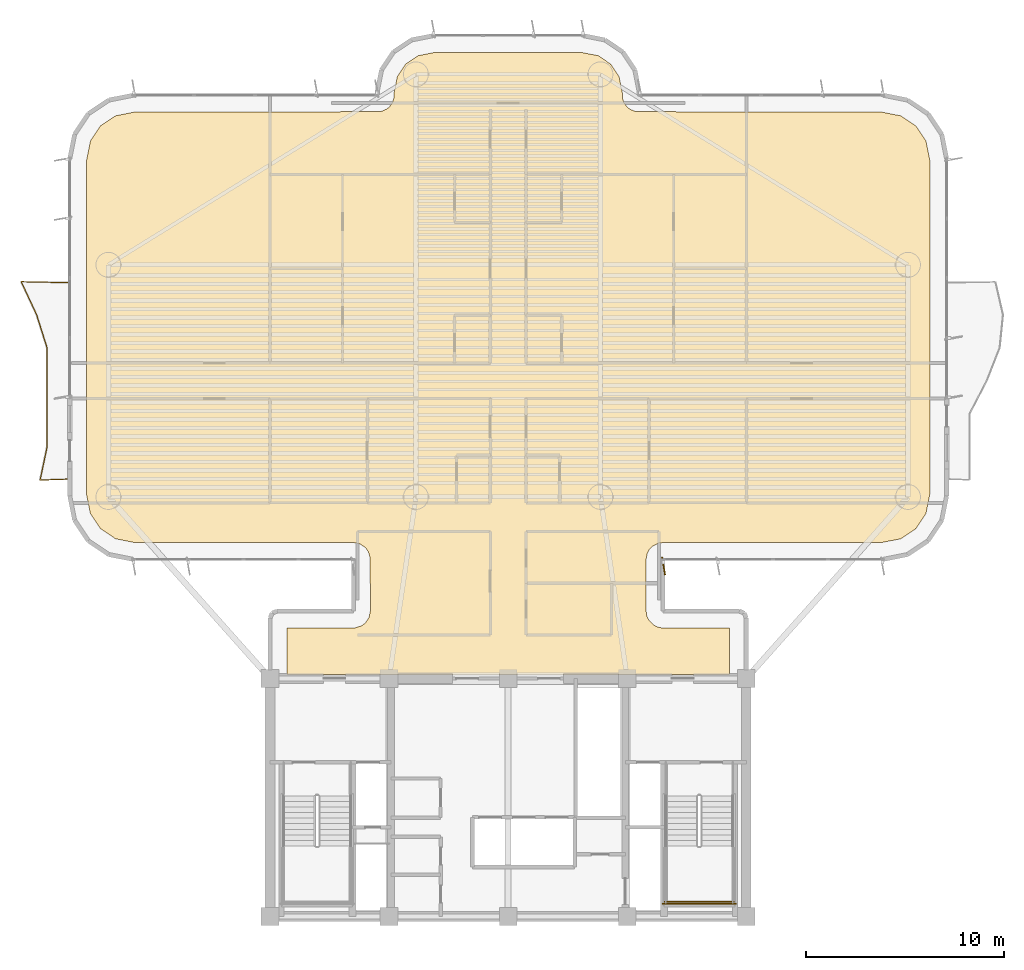
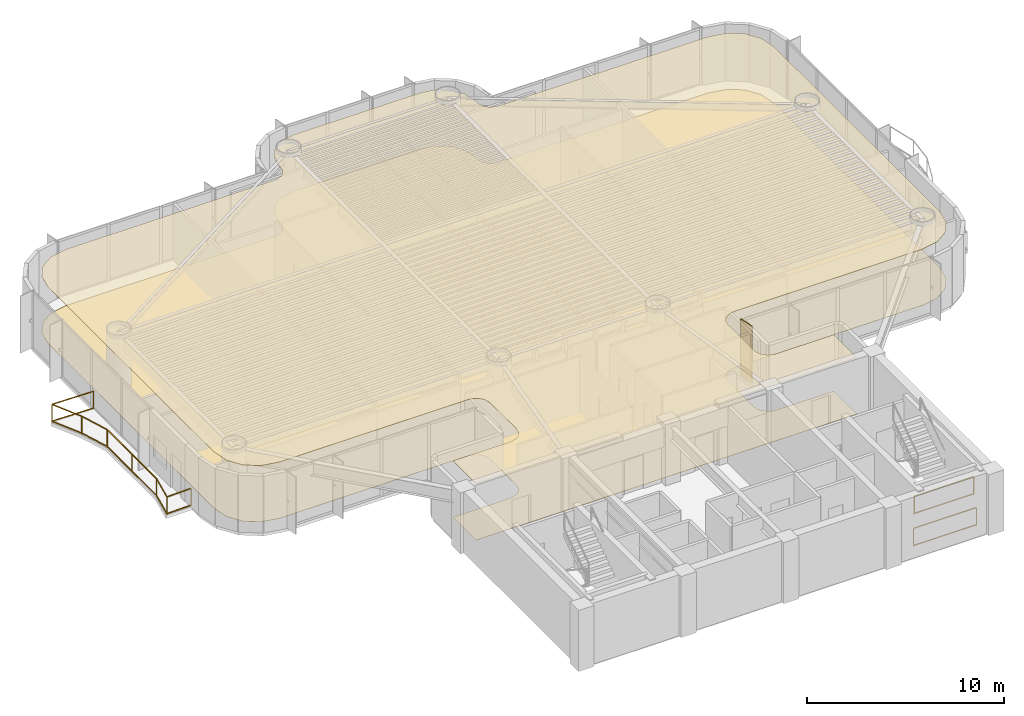
# One storey, part 15 of 17: 3 railings, 2 coverings, 1 shading device.
"""IFC4 building model written with IfcOpenShell, lengths in metres."""

from ifc_helpers import new_model, si_unit, direction, frame, origin, origin_2d, place, context, subcontext, project, spatial, polyline, rectangle, outline, extrude, source, transform, mapped, material, layer, layer_set, material_profile, profile_set, type_object, element, save


model = new_model("IFC4")

# Units and contexts
model_context = context("Model", 3, precision=1e-05, world=origin(), true_north=direction((0.0, 1.0)))
body_context = subcontext(model_context, "Body", "Model", "MODEL_VIEW")
ifc_project = project(units=[si_unit("LENGTHUNIT", "METRE"), si_unit("AREAUNIT", "SQUARE_METRE"), si_unit("VOLUMEUNIT", "CUBIC_METRE"), si_unit("PLANEANGLEUNIT", "RADIAN"), si_unit("MASSUNIT", "GRAM", prefix="KILO")], contexts=[model_context])

# Site, building, storey
site_placement = place(None, origin())
site = spatial("IfcSite", under=ifc_project, at=site_placement, CompositionType="ELEMENT")
building_placement = place(site_placement, origin())
building = spatial("IfcBuilding", under=site, at=building_placement, Name="Brelvock Crest Care Tower", CompositionType="ELEMENT")
storey_placement = place(building_placement, frame((0.0, 0.0, 93.60009765625)))
storey = spatial("IfcBuildingStorey", under=building, at=storey_placement, Name="L23", CompositionType="ELEMENT", Elevation=93.60009765625)

# Coverings
ifc_material_1 = material(Name="Mineral Fibre Acoustic Ceiling Tile", Category="gypsum")
ifc_layer_1 = layer(ifc_material_1, 0.02490234375, Name="COV-CLG1")
ifc_layer_set_1 = layer_set([ifc_layer_1], Name="Mineral Fibre Acoustic Ceiling Tile")
covering_type_1 = type_object("IfcCoveringType", Name="COV-CLG1", PredefinedType="CEILING", material=ifc_layer_set_1)
covering_1_placement = place(storey_placement, frame((0.0, 0.0, 3.474853515625)))
element("IfcCovering", 1, at=covering_1_placement, inside=storey, type_object=covering_type_1, Name="L23 Acoustic Suspended Ceiling 1", PredefinedType="CEILING", context=body_context, shape_type="SweptSolid", body=[
    extrude(outline(polyline([(24.85009765625, 18.199951171875), (47.14990234375, 18.199951171875), (47.14990234375, 20.550048828125), (43.716796875, 20.55419921875), (43.55322265625, 20.586669921875), (43.327880859375, 20.693359375), (43.09326171875, 20.927734375), (42.986572265625, 21.1533203125), (42.949951171875, 21.39990234375), (42.949951171875, 24.0), (43.0146484375, 24.3251953125), (43.09326171875, 24.47216796875), (43.2607421875, 24.656982421875), (43.55322265625, 24.8134765625), (43.800048828125, 24.85009765625), (54.81640625, 24.85009765625), (55.79296875, 25.044189453125), (56.5498046875, 25.550048828125), (57.0556640625, 26.30712890625), (57.25, 27.28369140625), (57.25, 44.1162109375), (57.0556640625, 45.093017578125), (56.5498046875, 45.849853515625), (55.79296875, 46.355712890625), (54.81640625, 46.550048828125), (42.43408203125, 46.56640625), (42.127685546875, 46.693359375), (41.9990234375, 46.799072265625), (41.850341796875, 46.999267578125), (41.766357421875, 47.234130859375), (41.75, 47.516357421875), (41.586181640625, 48.33984375), (41.1669921875, 48.967041015625), (40.539794921875, 49.38623046875), (39.71630859375, 49.550048828125), (32.28369140625, 49.550048828125), (31.460205078125, 49.38623046875), (30.8330078125, 48.967041015625), (30.413818359375, 48.33984375), (30.25, 47.516357421875), (30.233642578125, 47.234130859375), (30.149658203125, 46.999267578125), (30.0009765625, 46.799072265625), (29.872314453125, 46.693359375), (29.56591796875, 46.56640625), (17.18359375, 46.550048828125), (16.20703125, 46.355712890625), (15.4501953125, 45.849853515625), (14.9443359375, 45.093017578125), (14.75, 44.1162109375), (14.75, 27.28369140625), (14.9443359375, 26.30712890625), (15.4501953125, 25.550048828125), (16.20703125, 25.044189453125), (17.18359375, 24.85009765625), (28.199951171875, 24.85009765625), (28.525390625, 24.785400390625), (28.801025390625, 24.60107421875), (28.94970703125, 24.400634765625), (29.0458984375, 24.083251953125), (29.050048828125, 21.39990234375), (28.9853515625, 21.07470703125), (28.801025390625, 20.799072265625), (28.6005859375, 20.650390625), (28.283203125, 20.55419921875), (24.85009765625, 20.550048828125), (24.85009765625, 18.199951171875)])), origin(), (0.0, 0.0, 1.0), 0.025146484375),
])
ifc_material_2 = material(Name="Slip-Resistant Acoustic Vinyl Flooring", Category="finish")
ifc_layer_2 = layer(ifc_material_2, 0.014892578125, Name="COV-FLR1")
ifc_layer_set_2 = layer_set([ifc_layer_2], Name="Slip-Resistant Acoustic Vinyl Flooring")
covering_type_2 = type_object("IfcCoveringType", Name="COV-FLR1", PredefinedType="FLOORING", material=ifc_layer_set_2)
covering_2_placement = place(storey_placement, origin())
element("IfcCovering", 2, at=covering_2_placement, inside=storey, type_object=covering_type_2, Name="L23 Slip-Resistant Acoustic Flooring 1", PredefinedType="FLOORING", context=body_context, shape_type="SweptSolid", body=[
    extrude(outline(polyline([(24.85009765625, 18.199951171875), (47.14990234375, 18.199951171875), (47.14990234375, 20.550048828125), (43.716796875, 20.55419921875), (43.55322265625, 20.586669921875), (43.327880859375, 20.693359375), (43.09326171875, 20.927734375), (42.986572265625, 21.1533203125), (42.949951171875, 21.39990234375), (42.949951171875, 24.0), (43.0146484375, 24.3251953125), (43.09326171875, 24.47216796875), (43.2607421875, 24.656982421875), (43.55322265625, 24.8134765625), (43.800048828125, 24.85009765625), (54.81640625, 24.85009765625), (55.79296875, 25.044189453125), (56.5498046875, 25.550048828125), (57.0556640625, 26.30712890625), (57.25, 27.28369140625), (57.25, 44.1162109375), (57.0556640625, 45.093017578125), (56.5498046875, 45.849853515625), (55.79296875, 46.355712890625), (54.81640625, 46.550048828125), (42.43408203125, 46.56640625), (42.127685546875, 46.693359375), (41.9990234375, 46.799072265625), (41.850341796875, 46.999267578125), (41.766357421875, 47.234130859375), (41.75, 47.516357421875), (41.586181640625, 48.33984375), (41.1669921875, 48.967041015625), (40.539794921875, 49.38623046875), (39.71630859375, 49.550048828125), (32.28369140625, 49.550048828125), (31.460205078125, 49.38623046875), (30.8330078125, 48.967041015625), (30.413818359375, 48.33984375), (30.25, 47.516357421875), (30.233642578125, 47.234130859375), (30.149658203125, 46.999267578125), (30.0009765625, 46.799072265625), (29.872314453125, 46.693359375), (29.56591796875, 46.56640625), (17.18359375, 46.550048828125), (16.20703125, 46.355712890625), (15.4501953125, 45.849853515625), (14.9443359375, 45.093017578125), (14.75, 44.1162109375), (14.75, 27.28369140625), (14.9443359375, 26.30712890625), (15.4501953125, 25.550048828125), (16.20703125, 25.044189453125), (17.18359375, 24.85009765625), (28.199951171875, 24.85009765625), (28.525390625, 24.785400390625), (28.801025390625, 24.60107421875), (28.94970703125, 24.400634765625), (29.0458984375, 24.083251953125), (29.050048828125, 21.39990234375), (28.9853515625, 21.07470703125), (28.801025390625, 20.799072265625), (28.6005859375, 20.650390625), (28.283203125, 20.55419921875), (24.85009765625, 20.550048828125), (24.85009765625, 18.199951171875)])), origin(), (0.0, 0.0, 1.0), 0.014892578125),
])

# Railings
ifc_material_3 = material(Name="Dark Glass Double Glazed Low-E", Category="glass")
ifc_layer_3 = layer(ifc_material_3, 0.06005859375, Name="RL-BAL1")
ifc_layer_set_3 = layer_set([ifc_layer_3], Name="Dark Glass Double Glazed Low-E")
railing_type_1 = type_object("IfcRailingType", Name="RL-BAL1", PredefinedType="BALUSTRADE", material=ifc_layer_set_3)
railing_1_placement = place(storey_placement, frame((13.860107421875, 28.050048828125, 0.00390625)))
element("IfcRailing", 3, at=railing_1_placement, inside=storey, type_object=railing_type_1, Name="L23 Safety Balustrade WB-W", PredefinedType="BALUSTRADE", context=body_context, shape_type="SweptSolid", body=[
    extrude(rectangle(XDim=0.048095703125, YDim=0.048095703125, at=origin_2d()), frame((-0.001953125, 0.0, 1.09619140625), z_axis=(-0.999404999824, -0.034491249994, 0.0), x_axis=(0.034491249994, -0.999404999824, 0.0)), (0.0, 0.0, 1.0), 1.447021484375),
    extrude(rectangle(XDim=0.048095703125, YDim=0.048095703125, at=origin_2d()), frame((-0.001953125, 0.0, 0.054931640625), z_axis=(-0.999404999824, -0.034491249994, 0.0), x_axis=(0.034491249994, -0.999404999824, 0.0)), (0.0, 0.0, 1.0), 1.447021484375),
    extrude(rectangle(XDim=0.048095703125, YDim=0.048095703125, at=origin_2d()), frame((-1.44970703125, -0.048095703125, 1.09619140625), z_axis=(0.205562541209, 0.978643981053, 0.0), x_axis=(-0.978643981053, 0.205562541209, 0.0)), (0.0, 0.0, 1.0), 1.69921875),
    extrude(rectangle(XDim=0.048095703125, YDim=0.048095703125, at=origin_2d()), frame((-1.44970703125, -0.048095703125, 0.054931640625), z_axis=(0.205562541209, 0.978643981053, 0.0), x_axis=(-0.978643981053, 0.205562541209, 0.0)), (0.0, 0.0, 1.0), 1.69921875),
    extrude(rectangle(XDim=0.048095703125, YDim=0.048095703125, at=origin_2d()), frame((-1.10009765625, 1.61865234375, 1.09619140625), z_axis=(0.0, 1.0, 0.0), x_axis=(-1.0, 0.0, 0.0)), (0.0, 0.0, 1.0), 4.99609375),
    extrude(rectangle(XDim=0.048095703125, YDim=0.048095703125, at=origin_2d()), frame((-1.10009765625, 1.61865234375, 0.054931640625), z_axis=(0.0, 1.0, 0.0), x_axis=(-1.0, 0.0, 0.0)), (0.0, 0.0, 1.0), 4.99609375),
    extrude(rectangle(XDim=0.048095703125, YDim=0.048095703125, at=origin_2d()), frame((-1.1005859375, 6.61865234375, 1.09619140625), z_axis=(-0.30105782115, 0.953605887316, 0.0), x_axis=(-0.953605887316, -0.30105782115, 0.0)), (0.0, 0.0, 1.0), 1.74365234375),
    extrude(rectangle(XDim=0.048095703125, YDim=0.048095703125, at=origin_2d()), frame((-1.1005859375, 6.61865234375, 0.054931640625), z_axis=(-0.30105782115, 0.953605887316, 0.0), x_axis=(-0.953605887316, -0.30105782115, 0.0)), (0.0, 0.0, 1.0), 1.74365234375),
    extrude(rectangle(XDim=0.048095703125, YDim=0.048095703125, at=origin_2d()), frame((-1.626953125, 8.284912109375, 1.09619140625), z_axis=(-0.423219639169, 0.906027117156, 0.0), x_axis=(-0.906027117156, -0.423219639169, 0.0)), (0.0, 0.0, 1.0), 1.835693359375),
    extrude(rectangle(XDim=0.048095703125, YDim=0.048095703125, at=origin_2d()), frame((-1.626953125, 8.284912109375, 0.054931640625), z_axis=(-0.423219639169, 0.906027117156, 0.0), x_axis=(-0.906027117156, -0.423219639169, 0.0)), (0.0, 0.0, 1.0), 1.835693359375),
    extrude(rectangle(XDim=0.048095703125, YDim=0.048095703125, at=origin_2d()), frame((-2.40283203125, 9.949951171875, 1.09619140625), z_axis=(0.999783496855, -0.020807676838, 0.0), x_axis=(0.020807676838, 0.999783496855, 0.0)), (0.0, 0.0, 1.0), 2.4013671875),
    extrude(rectangle(XDim=0.048095703125, YDim=0.048095703125, at=origin_2d()), frame((-2.40283203125, 9.949951171875, 0.054931640625), z_axis=(0.999783496855, -0.020807676838, 0.0), x_axis=(0.020807676838, 0.999783496855, 0.0)), (0.0, 0.0, 1.0), 2.4013671875),
    extrude(rectangle(XDim=0.0419921875, YDim=0.0419921875, at=origin_2d()), origin(), (0.0, 0.0, 1.0), 1.070068359375),
    extrude(rectangle(XDim=0.0419921875, YDim=0.0419921875, at=origin_2d()), frame((-1.4501953125, -0.050048828125, 0.0)), (0.0, 0.0, 1.0), 1.070068359375),
    extrude(rectangle(XDim=0.0419921875, YDim=0.0419921875, at=origin_2d()), frame((-1.10009765625, 1.61669921875, 0.0)), (0.0, 0.0, 1.0), 1.070068359375),
    extrude(rectangle(XDim=0.0419921875, YDim=0.0419921875, at=origin_2d()), frame((-1.10009765625, 4.11669921875, 0.0)), (0.0, 0.0, 1.0), 1.070068359375),
    extrude(rectangle(XDim=0.0419921875, YDim=0.0419921875, at=origin_2d()), frame((-1.10009765625, 6.61669921875, 0.0)), (0.0, 0.0, 1.0), 1.070068359375),
    extrude(rectangle(XDim=0.0419921875, YDim=0.0419921875, at=origin_2d()), frame((-1.626220703125, 8.283203125, 0.0)), (0.0, 0.0, 1.0), 1.070068359375),
    extrude(rectangle(XDim=0.0419921875, YDim=0.0419921875, at=origin_2d()), frame((-2.40478515625, 9.949951171875, 0.0)), (0.0, 0.0, 1.0), 1.070068359375),
    extrude(rectangle(XDim=0.0419921875, YDim=0.0419921875, at=origin_2d()), frame((0.0, 9.89990234375, 0.0)), (0.0, 0.0, 1.0), 1.070068359375),
])
ifc_material_4 = material(Name="Steel Grade 350", Category="steel")
ifc_layer_4 = layer(ifc_material_4, 0.050048828125, Name="RL-STG1")
ifc_layer_set_4 = layer_set([ifc_layer_4], Name="Steel Grade 350")
railing_type_2 = type_object("IfcRailingType", Name="RL-STG1", PredefinedType="GUARDRAIL", material=ifc_layer_set_4)
railing_2_placement = place(storey_placement, frame((43.889892578125, 6.75, 1.889892578125)))
element("IfcRailing", 4, at=railing_2_placement, inside=storey, type_object=railing_type_2, Name="L23 ST-2 stair guard 5", PredefinedType="GUARDRAIL", context=body_context, shape_type="SweptSolid", body=[
    extrude(rectangle(XDim=0.048095703125, YDim=0.048095703125, at=origin_2d()), frame((0.001953125, 0.0, 1.11572265625), z_axis=(1.0, 0.0, 0.0), x_axis=(0.0, 1.0, 0.0)), (0.0, 0.0, 1.0), 3.476318359375),
    extrude(rectangle(XDim=0.048095703125, YDim=0.048095703125, at=origin_2d()), frame((0.001953125, 0.0, 0.054931640625), z_axis=(1.0, 0.0, 0.0), x_axis=(0.0, 1.0, 0.0)), (0.0, 0.0, 1.0), 3.476318359375),
    extrude(rectangle(XDim=0.0419921875, YDim=0.0419921875, at=origin_2d()), origin(), (0.0, 0.0, 1.0), 1.08984375),
    extrude(rectangle(XDim=0.0419921875, YDim=0.0419921875, at=origin_2d()), frame((3.480224609375, 0.0, 0.0)), (0.0, 0.0, 1.0), 1.08984375),
])
railing_3_placement = place(storey_placement, frame((43.7900390625, 6.64990234375, 0.0)))
element("IfcRailing", 5, at=railing_3_placement, inside=storey, type_object=railing_type_2, Name="L23 ST-2 stair guard 12", PredefinedType="GUARDRAIL", context=body_context, shape_type="SweptSolid", body=[
    extrude(rectangle(XDim=0.048095703125, YDim=0.048095703125, at=origin_2d()), frame((0.001953125, 0.0, 1.11572265625), z_axis=(1.0, 0.0, 0.0), x_axis=(0.0, 1.0, 0.0)), (0.0, 0.0, 1.0), 3.676025390625),
    extrude(rectangle(XDim=0.048095703125, YDim=0.048095703125, at=origin_2d()), frame((0.001953125, 0.0, 0.054931640625), z_axis=(1.0, 0.0, 0.0), x_axis=(0.0, 1.0, 0.0)), (0.0, 0.0, 1.0), 3.676025390625),
    extrude(rectangle(XDim=0.0419921875, YDim=0.0419921875, at=origin_2d()), origin(), (0.0, 0.0, 1.0), 1.08984375),
    extrude(rectangle(XDim=0.0419921875, YDim=0.0419921875, at=origin_2d()), frame((3.679931640625, 0.0, 0.0)), (0.0, 0.0, 1.0), 1.08984375),
])

# Shading device
ifc_material_5 = material(Name="Aluminium 6063-T6", Category="aluminium")
ifc_material_profile = material_profile(ifc_material_5, rectangle(XDim=0.054931640625, YDim=0.89990234375, at=origin_2d()), Name="FIN55x900")
ifc_profile_set = profile_set([ifc_material_profile], Name="Aluminium 6063-T6")
shading_device_type = type_object("IfcShadingDeviceType", Name="SHD-FIN1", PredefinedType="USERDEFINED", material=ifc_profile_set)
shared_shape = source(origin(), body_context, "Body", "SweptSolid", [
    extrude(rectangle(XDim=0.054931640625, YDim=0.89990234375, at=origin_2d()), origin(), (0.0, 0.0, 1.0), 3.52978515625),
])
shading_device_placement = place(storey_placement, frame((43.830078125, 23.659912109375, 0.0), z_axis=(0.0, 0.0, 1.0), x_axis=(-0.984807753012, -0.173648177667, 0.0)))
element("IfcShadingDevice", 6, at=shading_device_placement, inside=storey, type_object=shading_device_type, Name="L23 Vertical Sunshade Fin E44-05", ObjectType="FIN", PredefinedType="USERDEFINED", context=body_context, shape_type="MappedRepresentation", body=[
    mapped(shared_shape, transform((0.0, 0.0, 0.0), x_axis=(1.0, 0.0, 0.0), y_axis=(0.0, 1.0, 0.0), z_axis=(0.0, 0.0, 1.0), scale=1.0)),
])

save(model, "model.ifc")
